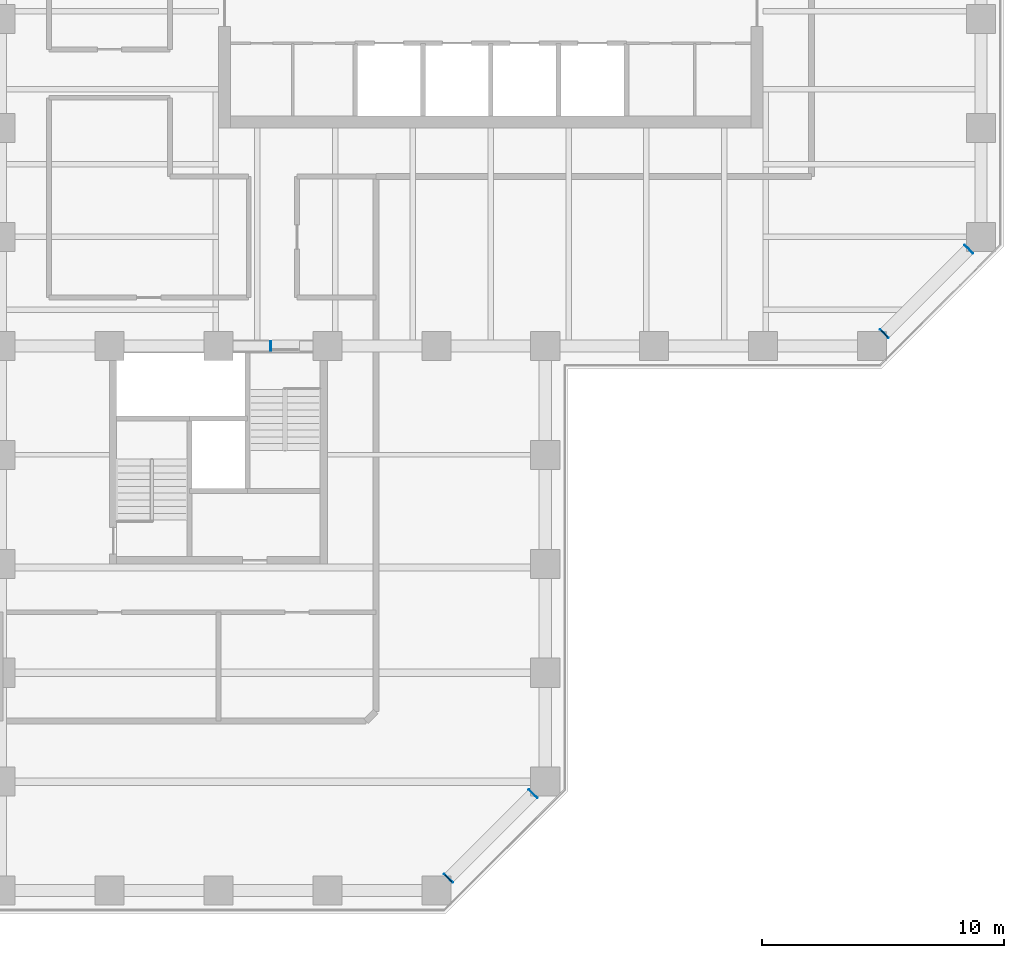
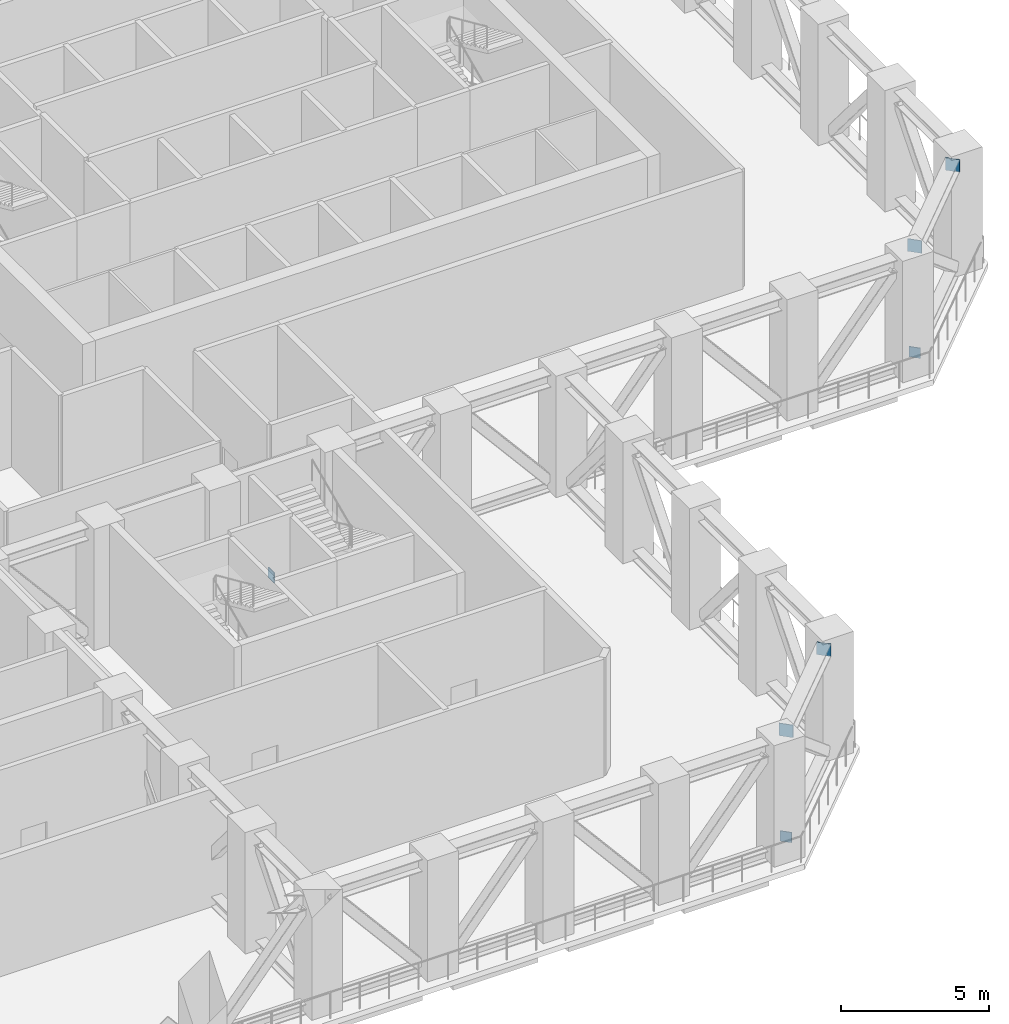
# One storey, part 11 of 16: 7 discrete accessories.
"""IFC4 building model written with IfcOpenShell, lengths in metres."""

from ifc_helpers import new_model, si_unit, direction, frame, origin, origin_2d, place, context, subcontext, project, spatial, rectangle, extrude, material, element, save


model = new_model("IFC4")

# Units and contexts
model_context = context("Model", 3, precision=1e-05, world=origin(), true_north=direction((0.0, 1.0)))
body_context = subcontext(model_context, "Body", "Model", "MODEL_VIEW")
ifc_project = project(units=[si_unit("LENGTHUNIT", "METRE"), si_unit("AREAUNIT", "SQUARE_METRE"), si_unit("VOLUMEUNIT", "CUBIC_METRE"), si_unit("PLANEANGLEUNIT", "RADIAN"), si_unit("MASSUNIT", "GRAM", prefix="KILO")], contexts=[model_context])

# Site, building, storey
site_placement = place(None, origin())
site = spatial("IfcSite", under=ifc_project, at=site_placement, CompositionType="ELEMENT")
building_placement = place(site_placement, origin())
building = spatial("IfcBuilding", under=site, at=building_placement, Name="Quoin Convention Tower", CompositionType="ELEMENT")
storey_placement = place(building_placement, frame((0.0, 0.0, 69.300048828125)))
storey = spatial("IfcBuildingStorey", under=building, at=storey_placement, Name="L18", CompositionType="ELEMENT", Elevation=69.300048828125)

# Discrete accessories
ifc_material = material(Name="Steel Grade 350", Category="steel")
discrete_accessory_1_placement = place(storey_placement, frame((54.50439453125, 18.50439453125, 0.0), z_axis=(0.0, 0.0, 1.0), x_axis=(-0.707106781187, -0.707106781187, 0.0)))
element("IfcDiscreteAccessory", 1, at=discrete_accessory_1_placement, inside=storey, material=ifc_material, Name="TRUSS END PLATE TRS-L18-BC-54000_18000-58500_22500 A", ObjectType="Truss end plate", PredefinedType="USERDEFINED", context=body_context, shape_type="SweptSolid", body=[
    extrude(rectangle(XDim=0.030029296875, YDim=0.39990234375, at=origin_2d()), origin(), (0.0, 0.0, 1.0), 0.422119140625),
])
for number, where, z_axis, x_axis, name in (
    (2, (54.50439453125, 18.50439453125, 4.3359375), (0.0, 0.0, 1.0), (-0.707106781187, -0.707106781187, 0.0), "TRUSS END PLATE TRS-L18-TC-54000_18000-58500_22500 A"),
    (3, (57.99560546875, 21.99560546875, 4.3359375), (0.0, 0.0, 1.0), (0.707106781187, 0.707106781187, 0.0), "TRUSS END PLATE TRS-L18-TC-54000_18000-58500_22500 B"),
):
    element("IfcDiscreteAccessory", number, at=place(storey_placement, frame(where, z_axis=z_axis, x_axis=x_axis)), inside=storey, material=ifc_material, Name=name, ObjectType="Truss end plate", PredefinedType="USERDEFINED", context=body_context, shape_type="SweptSolid", body=[
        extrude(rectangle(XDim=0.030029296875, YDim=0.5, at=origin_2d()), origin(), (0.0, 0.0, 1.0), 0.513916015625),
    ])
discrete_accessory_2_placement = place(storey_placement, frame((72.50439453125, 41.00439453125, 0.0), z_axis=(0.0, 0.0, 1.0), x_axis=(-0.707106781187, -0.707106781187, 0.0)))
element("IfcDiscreteAccessory", 4, at=discrete_accessory_2_placement, inside=storey, material=ifc_material, Name="TRUSS END PLATE TRS-L18-BC-72000_40500-76500_45000 A", ObjectType="Truss end plate", PredefinedType="USERDEFINED", context=body_context, shape_type="SweptSolid", body=[
    extrude(rectangle(XDim=0.030029296875, YDim=0.39990234375, at=origin_2d()), origin(), (0.0, 0.0, 1.0), 0.422119140625),
])
for number, where, z_axis, x_axis, name in (
    (5, (72.50439453125, 41.00439453125, 4.3359375), (0.0, 0.0, 1.0), (-0.707106781187, -0.707106781187, 0.0), "TRUSS END PLATE TRS-L18-TC-72000_40500-76500_45000 A"),
    (6, (75.99560546875, 44.49560546875, 4.3359375), (0.0, 0.0, 1.0), (0.707106781187, 0.707106781187, 0.0), "TRUSS END PLATE TRS-L18-TC-72000_40500-76500_45000 B"),
):
    element("IfcDiscreteAccessory", number, at=place(storey_placement, frame(where, z_axis=z_axis, x_axis=x_axis)), inside=storey, material=ifc_material, Name=name, ObjectType="Truss end plate", PredefinedType="USERDEFINED", context=body_context, shape_type="SweptSolid", body=[
        extrude(rectangle(XDim=0.030029296875, YDim=0.5, at=origin_2d()), origin(), (0.0, 0.0, 1.0), 0.513916015625),
    ])
discrete_accessory_3_placement = place(storey_placement, frame((47.1650390625, 40.5, 0.0), z_axis=(0.0, 0.0, 1.0), x_axis=(1.0, 0.0, 0.0)))
element("IfcDiscreteAccessory", 7, at=discrete_accessory_3_placement, inside=storey, material=ifc_material, Name="TRUSS END PLATE TRS-L18-BC-45000_40500-49500_40500-A B", ObjectType="Truss end plate", PredefinedType="USERDEFINED", context=body_context, shape_type="SweptSolid", body=[
    extrude(rectangle(XDim=0.030029296875, YDim=0.39990234375, at=origin_2d()), origin(), (0.0, 0.0, 1.0), 0.422119140625),
])

save(model, "model.ifc")
